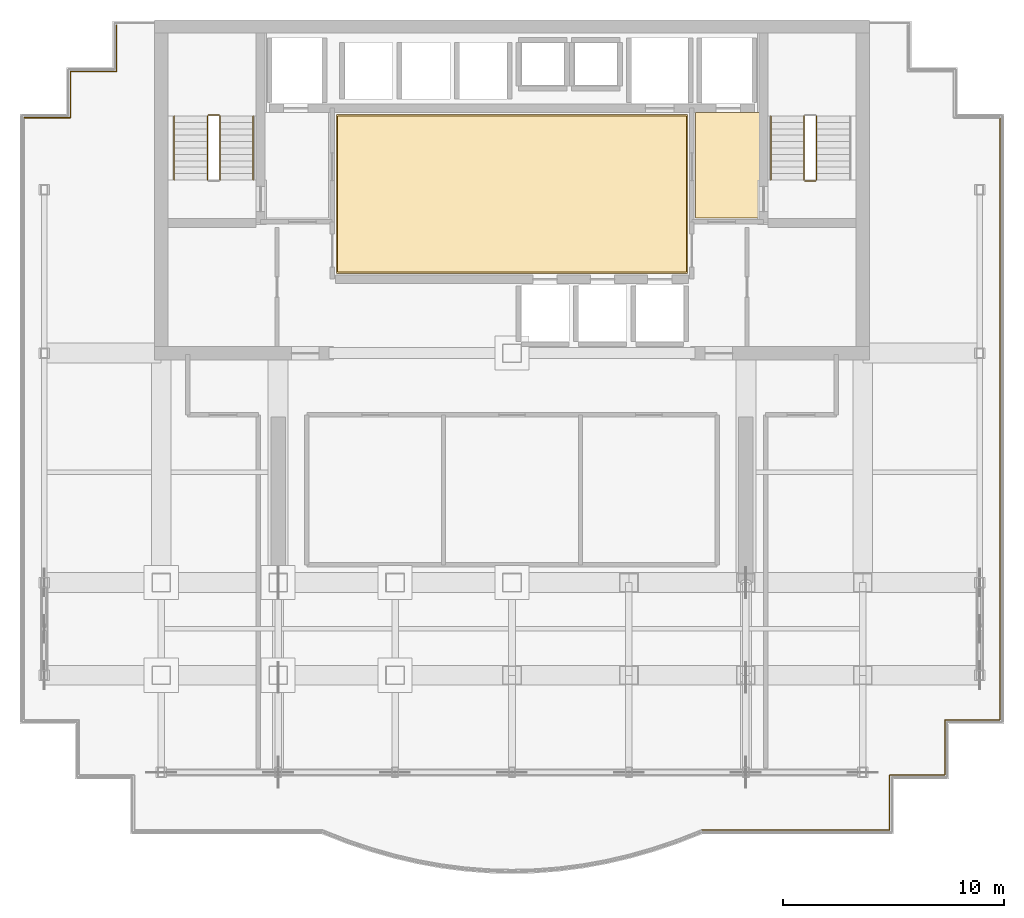
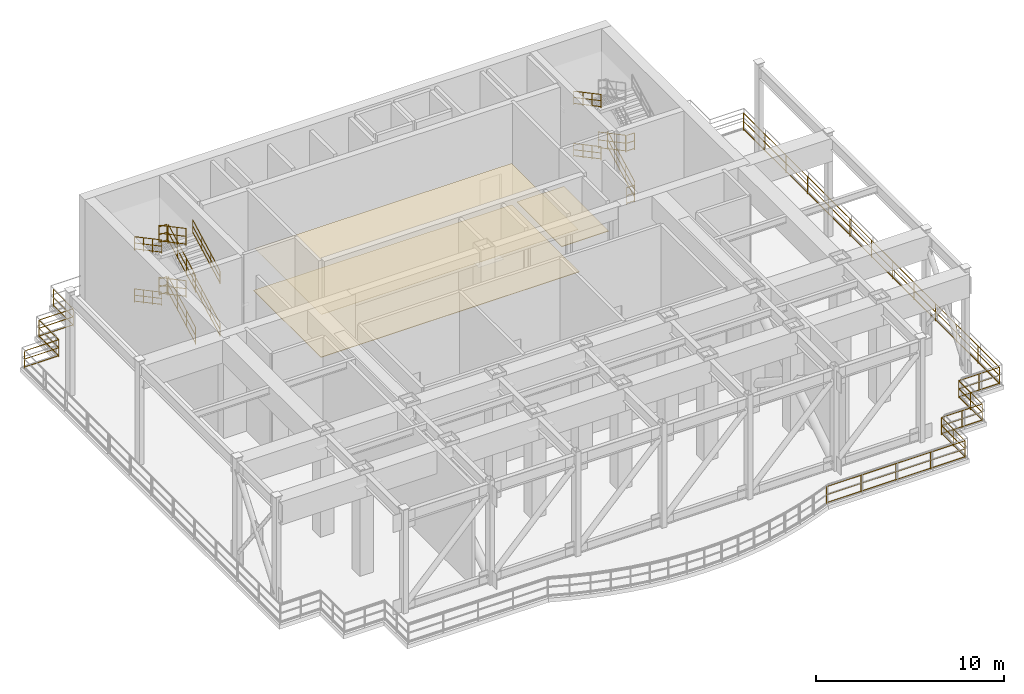
# One storey, part 6 of 7: 26 railings, 3 coverings.
"""IFC4 building model written with IfcOpenShell, lengths in metres."""

from ifc_helpers import new_model, si_unit, direction, frame, origin, origin_2d, place, context, subcontext, project, spatial, polyline, circle, outline, extrude, material, layer, layer_set, type_object, element, save


model = new_model("IFC4")

# Units and contexts
model_context = context("Model", 3, precision=1e-05, world=origin(), true_north=direction((0.0, 1.0)))
body_context = subcontext(model_context, "Body", "Model", "MODEL_VIEW")
ifc_project = project(units=[si_unit("LENGTHUNIT", "METRE"), si_unit("AREAUNIT", "SQUARE_METRE"), si_unit("VOLUMEUNIT", "CUBIC_METRE"), si_unit("PLANEANGLEUNIT", "RADIAN"), si_unit("MASSUNIT", "GRAM", prefix="KILO")], contexts=[model_context])

# Site, building, storey
site_placement = place(None, origin())
site = spatial("IfcSite", under=ifc_project, at=site_placement, CompositionType="ELEMENT")
building_placement = place(site_placement, origin())
building = spatial("IfcBuilding", under=site, at=building_placement, Name="Qianlan Lanfeng Residences", CompositionType="ELEMENT")
storey_placement = place(building_placement, frame((0.0, 0.0, 185.39990234375)))
storey = spatial("IfcBuildingStorey", under=building, at=storey_placement, Name="L51", CompositionType="ELEMENT", Elevation=185.39990234375)

# Coverings
ifc_material_1 = material(Name="Acoustic Perforated Gypsum Ceiling Board")
ifc_layer_1 = layer(ifc_material_1, 0.02001953125)
ifc_layer_set_1 = layer_set([ifc_layer_1], Name="Acoustic Perforated Gypsum Ceiling Board")
covering_type_1 = type_object("IfcCoveringType", Name="CLG-GYP-15", PredefinedType="CEILING", material=ifc_layer_set_1)
covering_1_placement = place(storey_placement, frame((0.0, 0.0, 2.75)))
element("IfcCovering", 1, at=covering_1_placement, inside=storey, type_object=covering_type_1, Name="L51 Lift Lobby Suspended Ceiling", PredefinedType="CEILING", context=body_context, shape_type="SweptSolid", body=[
    extrude(outline(polyline([(18.60009765625, 28.8701171875), (34.39990234375, 28.8701171875), (34.39990234375, 35.9599609375), (18.60009765625, 35.9599609375), (18.60009765625, 28.8701171875)])), origin(), (0.0, 0.0, 1.0), 0.02001953125),
])
ifc_material_2 = material(Name="Honed Taitung Granite Stone Flooring", Category="masonry")
ifc_layer_2 = layer(ifc_material_2, 0.030029296875)
ifc_layer_set_2 = layer_set([ifc_layer_2], Name="Honed Taitung Granite Stone Flooring")
covering_type_2 = type_object("IfcCoveringType", Name="FLR-STN-30", PredefinedType="FLOORING", material=ifc_layer_set_2)
covering_2_placement = place(storey_placement, origin())
element("IfcCovering", 2, at=covering_2_placement, inside=storey, type_object=covering_type_2, Name="L51 Firefighting Lift Lobby Floor Finish", PredefinedType="FLOORING", context=body_context, shape_type="SweptSolid", body=[
    extrude(outline(polyline([(34.820068359375, 31.320068359375), (37.7099609375, 31.320068359375), (37.7099609375, 36.110107421875), (34.820068359375, 36.110107421875), (34.820068359375, 31.320068359375)])), origin(), (0.0, 0.0, 1.0), 0.030029296875),
])
covering_3_placement = place(storey_placement, origin())
element("IfcCovering", 3, at=covering_3_placement, inside=storey, type_object=covering_type_2, Name="L51 Lift Lobby Floor Finish", PredefinedType="FLOORING", context=body_context, shape_type="SweptSolid", body=[
    extrude(outline(polyline([(18.550048828125, 28.820068359375), (34.449951171875, 28.820068359375), (34.449951171875, 36.010009765625), (18.550048828125, 36.010009765625), (18.550048828125, 28.820068359375)])), origin(), (0.0, 0.0, 1.0), 0.030029296875),
])

# Railings
ifc_material_3 = material(Name="Painted Galvanised Steel Guardrail", Category="steel")
railing_type_1 = type_object("IfcRailingType", Name="GR-ST-1120", PredefinedType="GUARDRAIL", material=ifc_material_3)
railing_1_placement = place(storey_placement, frame((13.27001953125, 33.050048828125, 0.154541015625)))
element("IfcRailing", 4, at=railing_1_placement, inside=storey, type_object=railing_type_1, Name="L51 ST-1 stair guard 1", PredefinedType="GUARDRAIL", context=body_context, shape_type="SweptSolid", body=[
    extrude(circle(Radius=0.02392578125, at=origin_2d()), frame((0.0, 0.0, 0.083984375), z_axis=(0.0, 0.882474251534, 0.470360707734), x_axis=(-1.0, 0.0, 0.0)), (0.0, 0.0, 1.0), 3.2861328125),
    extrude(circle(Radius=0.02392578125, at=origin_2d()), frame((0.0, 0.0, 0.58251953125), z_axis=(0.0, 0.882474251534, 0.470360707734), x_axis=(-1.0, 0.0, 0.0)), (0.0, 0.0, 1.0), 3.2861328125),
    extrude(circle(Radius=0.02392578125, at=origin_2d()), frame((0.0, 0.0, 1.09619140625), z_axis=(0.0, 0.882474251534, 0.470360707734), x_axis=(-1.0, 0.0, 0.0)), (0.0, 0.0, 1.0), 3.2861328125),
    extrude(circle(Radius=0.02099609375, at=origin_2d()), origin(), (0.0, 0.0, 1.0), 1.072021484375),
    extrude(circle(Radius=0.02099609375, at=origin_2d()), frame((0.0, 0.966552734375, 0.51513671875)), (0.0, 0.0, 1.0), 1.072021484375),
    extrude(circle(Radius=0.02099609375, at=origin_2d()), frame((0.0, 1.933349609375, 1.030517578125)), (0.0, 0.0, 1.0), 1.072021484375),
    extrude(circle(Radius=0.02099609375, at=origin_2d()), frame((0.0, 2.89990234375, 1.545654296875)), (0.0, 0.0, 1.0), 1.072021484375),
])
railing_2_placement = place(storey_placement, frame((13.219970703125, 36.0, 1.7001953125)))
element("IfcRailing", 5, at=railing_2_placement, inside=storey, type_object=railing_type_1, Name="L51 ST-1 stair guard 2", PredefinedType="GUARDRAIL", context=body_context, shape_type="SweptSolid", body=[
    extrude(circle(Radius=0.02392578125, at=origin_2d()), frame((0.0, 0.0, 0.083984375), z_axis=(-1.0, 0.0, 0.0), x_axis=(0.0, -1.0, 0.0)), (0.0, 0.0, 1.0), 0.47998046875),
    extrude(circle(Radius=0.02392578125, at=origin_2d()), frame((0.0, 0.0, 0.58251953125), z_axis=(-1.0, 0.0, 0.0), x_axis=(0.0, -1.0, 0.0)), (0.0, 0.0, 1.0), 0.47998046875),
    extrude(circle(Radius=0.02392578125, at=origin_2d()), frame((0.0, 0.0, 1.09619140625), z_axis=(-1.0, 0.0, 0.0), x_axis=(0.0, -1.0, 0.0)), (0.0, 0.0, 1.0), 0.47998046875),
    extrude(circle(Radius=0.02099609375, at=origin_2d()), origin(), (0.0, 0.0, 1.0), 1.072021484375),
    extrude(circle(Radius=0.02099609375, at=origin_2d()), frame((-0.47998046875, 0.0, 0.0)), (0.0, 0.0, 1.0), 1.072021484375),
])
railing_3_placement = place(storey_placement, frame((12.68994140625, 35.949951171875, 1.854736328125)))
element("IfcRailing", 6, at=railing_3_placement, inside=storey, type_object=railing_type_1, Name="L51 ST-1 stair guard 3", PredefinedType="GUARDRAIL", context=body_context, shape_type="SweptSolid", body=[
    extrude(circle(Radius=0.02392578125, at=origin_2d()), frame((0.0, 0.0, 0.083984375), z_axis=(0.0, -0.882505089112, 0.470302846782), x_axis=(1.0, 0.0, 0.0)), (0.0, 0.0, 1.0), 3.285888671875),
    extrude(circle(Radius=0.02392578125, at=origin_2d()), frame((0.0, 0.0, 0.58251953125), z_axis=(0.0, -0.882505089112, 0.470302846782), x_axis=(1.0, 0.0, 0.0)), (0.0, 0.0, 1.0), 3.285888671875),
    extrude(circle(Radius=0.02392578125, at=origin_2d()), frame((0.0, 0.0, 1.09619140625), z_axis=(0.0, -0.882505089112, 0.470302846782), x_axis=(1.0, 0.0, 0.0)), (0.0, 0.0, 1.0), 3.285888671875),
    extrude(circle(Radius=0.02099609375, at=origin_2d()), origin(), (0.0, 0.0, 1.0), 1.072021484375),
    extrude(circle(Radius=0.02099609375, at=origin_2d()), frame((0.0, -0.966552734375, 0.51513671875)), (0.0, 0.0, 1.0), 1.072021484375),
    extrude(circle(Radius=0.02099609375, at=origin_2d()), frame((0.0, -1.933349609375, 1.0302734375)), (0.0, 0.0, 1.0), 1.072021484375),
    extrude(circle(Radius=0.02099609375, at=origin_2d()), frame((0.0, -2.89990234375, 1.54541015625)), (0.0, 0.0, 1.0), 1.072021484375),
])
railing_4_placement = place(storey_placement, frame((13.27001953125, 33.050048828125, 3.5546875)))
element("IfcRailing", 7, at=railing_4_placement, inside=storey, type_object=railing_type_1, Name="L51 ST-1 stair guard 5", PredefinedType="GUARDRAIL", context=body_context, shape_type="SweptSolid", body=[
    extrude(circle(Radius=0.02392578125, at=origin_2d()), frame((0.0, 0.0, 0.083984375), z_axis=(0.0, 0.882505089112, 0.470302846782), x_axis=(-1.0, 0.0, 0.0)), (0.0, 0.0, 1.0), 3.285888671875),
    extrude(circle(Radius=0.02392578125, at=origin_2d()), frame((0.0, 0.0, 0.58251953125), z_axis=(0.0, 0.882505089112, 0.470302846782), x_axis=(-1.0, 0.0, 0.0)), (0.0, 0.0, 1.0), 3.285888671875),
    extrude(circle(Radius=0.02392578125, at=origin_2d()), frame((0.0, 0.0, 1.09619140625), z_axis=(0.0, 0.882505089112, 0.470302846782), x_axis=(-1.0, 0.0, 0.0)), (0.0, 0.0, 1.0), 3.285888671875),
    extrude(circle(Radius=0.02099609375, at=origin_2d()), origin(), (0.0, 0.0, 1.0), 1.072021484375),
    extrude(circle(Radius=0.02099609375, at=origin_2d()), frame((0.0, 0.966552734375, 0.51513671875)), (0.0, 0.0, 1.0), 1.072021484375),
    extrude(circle(Radius=0.02099609375, at=origin_2d()), frame((0.0, 1.933349609375, 1.0302734375)), (0.0, 0.0, 1.0), 1.072021484375),
    extrude(circle(Radius=0.02099609375, at=origin_2d()), frame((0.0, 2.89990234375, 1.54541015625)), (0.0, 0.0, 1.0), 1.072021484375),
])
railing_5_placement = place(storey_placement, frame((13.219970703125, 36.0, 5.10009765625)))
element("IfcRailing", 8, at=railing_5_placement, inside=storey, type_object=railing_type_1, Name="L51 ST-1 stair guard 6", PredefinedType="GUARDRAIL", context=body_context, shape_type="SweptSolid", body=[
    extrude(circle(Radius=0.02392578125, at=origin_2d()), frame((0.0, 0.0, 0.083984375), z_axis=(-1.0, 0.0, 0.0), x_axis=(0.0, -1.0, 0.0)), (0.0, 0.0, 1.0), 0.47998046875),
    extrude(circle(Radius=0.02392578125, at=origin_2d()), frame((0.0, 0.0, 0.58251953125), z_axis=(-1.0, 0.0, 0.0), x_axis=(0.0, -1.0, 0.0)), (0.0, 0.0, 1.0), 0.47998046875),
    extrude(circle(Radius=0.02392578125, at=origin_2d()), frame((0.0, 0.0, 1.09619140625), z_axis=(-1.0, 0.0, 0.0), x_axis=(0.0, -1.0, 0.0)), (0.0, 0.0, 1.0), 0.47998046875),
    extrude(circle(Radius=0.02099609375, at=origin_2d()), origin(), (0.0, 0.0, 1.0), 1.072021484375),
    extrude(circle(Radius=0.02099609375, at=origin_2d()), frame((-0.47998046875, 0.0, 0.0)), (0.0, 0.0, 1.0), 1.072021484375),
])
railing_6_placement = place(storey_placement, frame((12.68994140625, 35.949951171875, 5.254638671875)))
element("IfcRailing", 9, at=railing_6_placement, inside=storey, type_object=railing_type_1, Name="L51 ST-1 stair guard 7", PredefinedType="GUARDRAIL", context=body_context, shape_type="SweptSolid", body=[
    extrude(circle(Radius=0.02392578125, at=origin_2d()), frame((0.0, 0.0, 0.083984375), z_axis=(0.0, -0.882505089112, 0.470302846782), x_axis=(1.0, 0.0, 0.0)), (0.0, 0.0, 1.0), 3.285888671875),
    extrude(circle(Radius=0.02392578125, at=origin_2d()), frame((0.0, 0.0, 0.58251953125), z_axis=(0.0, -0.882505089112, 0.470302846782), x_axis=(1.0, 0.0, 0.0)), (0.0, 0.0, 1.0), 3.285888671875),
    extrude(circle(Radius=0.02392578125, at=origin_2d()), frame((0.0, 0.0, 1.09619140625), z_axis=(0.0, -0.882505089112, 0.470302846782), x_axis=(1.0, 0.0, 0.0)), (0.0, 0.0, 1.0), 3.285888671875),
    extrude(circle(Radius=0.02099609375, at=origin_2d()), origin(), (0.0, 0.0, 1.0), 1.072021484375),
    extrude(circle(Radius=0.02099609375, at=origin_2d()), frame((0.0, -0.966552734375, 0.51513671875)), (0.0, 0.0, 1.0), 1.072021484375),
    extrude(circle(Radius=0.02099609375, at=origin_2d()), frame((0.0, -1.933349609375, 1.0302734375)), (0.0, 0.0, 1.0), 1.072021484375),
    extrude(circle(Radius=0.02099609375, at=origin_2d()), frame((0.0, -2.89990234375, 1.54541015625)), (0.0, 0.0, 1.0), 1.072021484375),
])
railing_7_placement = place(storey_placement, frame((40.31005859375, 33.050048828125, 0.154541015625)))
element("IfcRailing", 10, at=railing_7_placement, inside=storey, type_object=railing_type_1, Name="L51 ST-2 stair guard 1", PredefinedType="GUARDRAIL", context=body_context, shape_type="SweptSolid", body=[
    extrude(circle(Radius=0.02392578125, at=origin_2d()), frame((0.0, 0.0, 0.083984375), z_axis=(0.0, 0.882474251534, 0.470360707734), x_axis=(-1.0, 0.0, 0.0)), (0.0, 0.0, 1.0), 3.2861328125),
    extrude(circle(Radius=0.02392578125, at=origin_2d()), frame((0.0, 0.0, 0.58251953125), z_axis=(0.0, 0.882474251534, 0.470360707734), x_axis=(-1.0, 0.0, 0.0)), (0.0, 0.0, 1.0), 3.2861328125),
    extrude(circle(Radius=0.02392578125, at=origin_2d()), frame((0.0, 0.0, 1.09619140625), z_axis=(0.0, 0.882474251534, 0.470360707734), x_axis=(-1.0, 0.0, 0.0)), (0.0, 0.0, 1.0), 3.2861328125),
    extrude(circle(Radius=0.02099609375, at=origin_2d()), origin(), (0.0, 0.0, 1.0), 1.072021484375),
    extrude(circle(Radius=0.02099609375, at=origin_2d()), frame((0.0, 0.966552734375, 0.51513671875)), (0.0, 0.0, 1.0), 1.072021484375),
    extrude(circle(Radius=0.02099609375, at=origin_2d()), frame((0.0, 1.933349609375, 1.030517578125)), (0.0, 0.0, 1.0), 1.072021484375),
    extrude(circle(Radius=0.02099609375, at=origin_2d()), frame((0.0, 2.89990234375, 1.545654296875)), (0.0, 0.0, 1.0), 1.072021484375),
])
railing_8_placement = place(storey_placement, frame((39.72998046875, 35.949951171875, 1.854736328125)))
element("IfcRailing", 11, at=railing_8_placement, inside=storey, type_object=railing_type_1, Name="L51 ST-2 stair guard 3", PredefinedType="GUARDRAIL", context=body_context, shape_type="SweptSolid", body=[
    extrude(circle(Radius=0.02392578125, at=origin_2d()), frame((0.0, 0.0, 0.083984375), z_axis=(0.0, -0.882505089112, 0.470302846782), x_axis=(1.0, 0.0, 0.0)), (0.0, 0.0, 1.0), 3.285888671875),
    extrude(circle(Radius=0.02392578125, at=origin_2d()), frame((0.0, 0.0, 0.58251953125), z_axis=(0.0, -0.882505089112, 0.470302846782), x_axis=(1.0, 0.0, 0.0)), (0.0, 0.0, 1.0), 3.285888671875),
    extrude(circle(Radius=0.02392578125, at=origin_2d()), frame((0.0, 0.0, 1.09619140625), z_axis=(0.0, -0.882505089112, 0.470302846782), x_axis=(1.0, 0.0, 0.0)), (0.0, 0.0, 1.0), 3.285888671875),
    extrude(circle(Radius=0.02099609375, at=origin_2d()), origin(), (0.0, 0.0, 1.0), 1.072021484375),
    extrude(circle(Radius=0.02099609375, at=origin_2d()), frame((0.0, -0.966552734375, 0.51513671875)), (0.0, 0.0, 1.0), 1.072021484375),
    extrude(circle(Radius=0.02099609375, at=origin_2d()), frame((0.0, -1.933349609375, 1.0302734375)), (0.0, 0.0, 1.0), 1.072021484375),
    extrude(circle(Radius=0.02099609375, at=origin_2d()), frame((0.0, -2.89990234375, 1.54541015625)), (0.0, 0.0, 1.0), 1.072021484375),
])
for number, where, name in (
    (12, (40.260009765625, 33.0, 3.400146484375), "L51 ST-2 stair guard 4"),
    (13, (40.260009765625, 33.0, 0.0), "L51 ST-2 stair guard 8"),
):
    element("IfcRailing", number, at=place(storey_placement, frame(where)), inside=storey, type_object=railing_type_1, Name=name, PredefinedType="GUARDRAIL", context=body_context, shape_type="SweptSolid", body=[
        extrude(circle(Radius=0.02392578125, at=origin_2d()), frame((0.0, 0.0, 0.083984375), z_axis=(-1.0, 0.0, 0.0), x_axis=(0.0, -1.0, 0.0)), (0.0, 0.0, 1.0), 0.47998046875),
        extrude(circle(Radius=0.02392578125, at=origin_2d()), frame((0.0, 0.0, 0.58251953125), z_axis=(-1.0, 0.0, 0.0), x_axis=(0.0, -1.0, 0.0)), (0.0, 0.0, 1.0), 0.47998046875),
        extrude(circle(Radius=0.02392578125, at=origin_2d()), frame((0.0, 0.0, 1.09619140625), z_axis=(-1.0, 0.0, 0.0), x_axis=(0.0, -1.0, 0.0)), (0.0, 0.0, 1.0), 0.47998046875),
        extrude(circle(Radius=0.02099609375, at=origin_2d()), origin(), (0.0, 0.0, 1.0), 1.072021484375),
        extrude(circle(Radius=0.02099609375, at=origin_2d()), frame((-0.47998046875, 0.0, 0.0)), (0.0, 0.0, 1.0), 1.072021484375),
    ])
railing_9_placement = place(storey_placement, frame((4.3798828125, 35.8701171875, 0.0)))
element("IfcRailing", 14, at=railing_9_placement, inside=storey, type_object=railing_type_1, Name="L51 Wind-Slot Open Perimeter Guardrail 2", PredefinedType="GUARDRAIL", context=body_context, shape_type="SweptSolid", body=[
    extrude(circle(Radius=0.02392578125, at=origin_2d()), frame((0.0, 0.0, 0.083984375), z_axis=(1.0, 0.0, 0.0), x_axis=(0.0, 1.0, 0.0)), (0.0, 0.0, 1.0), 2.10009765625),
    extrude(circle(Radius=0.02392578125, at=origin_2d()), frame((0.0, 0.0, 0.597900390625), z_axis=(1.0, 0.0, 0.0), x_axis=(0.0, 1.0, 0.0)), (0.0, 0.0, 1.0), 2.10009765625),
    extrude(circle(Radius=0.02392578125, at=origin_2d()), frame((0.0, 0.0, 1.1259765625), z_axis=(1.0, 0.0, 0.0), x_axis=(0.0, 1.0, 0.0)), (0.0, 0.0, 1.0), 2.10009765625),
    extrude(circle(Radius=0.02099609375, at=origin_2d()), origin(), (0.0, 0.0, 1.0), 1.101806640625),
    extrude(circle(Radius=0.02099609375, at=origin_2d()), frame((2.10009765625, 0.0, 0.0)), (0.0, 0.0, 1.0), 1.101806640625),
])
railing_10_placement = place(storey_placement, frame((6.47998046875, 35.8701171875, 0.0)))
element("IfcRailing", 15, at=railing_10_placement, inside=storey, type_object=railing_type_1, Name="L51 Wind-Slot Open Perimeter Guardrail 3", PredefinedType="GUARDRAIL", context=body_context, shape_type="SweptSolid", body=[
    extrude(circle(Radius=0.02392578125, at=origin_2d()), frame((0.0, 0.0, 0.083984375), z_axis=(0.0, 1.0, 0.0), x_axis=(-1.0, 0.0, 0.0)), (0.0, 0.0, 1.0), 2.099853515625),
    extrude(circle(Radius=0.02392578125, at=origin_2d()), frame((0.0, 0.0, 0.597900390625), z_axis=(0.0, 1.0, 0.0), x_axis=(-1.0, 0.0, 0.0)), (0.0, 0.0, 1.0), 2.099853515625),
    extrude(circle(Radius=0.02392578125, at=origin_2d()), frame((0.0, 0.0, 1.1259765625), z_axis=(0.0, 1.0, 0.0), x_axis=(-1.0, 0.0, 0.0)), (0.0, 0.0, 1.0), 2.099853515625),
    extrude(circle(Radius=0.02099609375, at=origin_2d()), origin(), (0.0, 0.0, 1.0), 1.101806640625),
    extrude(circle(Radius=0.02099609375, at=origin_2d()), frame((0.0, 2.099853515625, 0.0)), (0.0, 0.0, 1.0), 1.101806640625),
])
railing_11_placement = place(storey_placement, frame((6.47998046875, 37.969970703125, 0.0)))
element("IfcRailing", 16, at=railing_11_placement, inside=storey, type_object=railing_type_1, Name="L51 Wind-Slot Open Perimeter Guardrail 4", PredefinedType="GUARDRAIL", context=body_context, shape_type="SweptSolid", body=[
    extrude(circle(Radius=0.02392578125, at=origin_2d()), frame((0.0, 0.0, 0.083984375), z_axis=(1.0, 0.0, 0.0), x_axis=(0.0, 1.0, 0.0)), (0.0, 0.0, 1.0), 2.10009765625),
    extrude(circle(Radius=0.02392578125, at=origin_2d()), frame((0.0, 0.0, 0.597900390625), z_axis=(1.0, 0.0, 0.0), x_axis=(0.0, 1.0, 0.0)), (0.0, 0.0, 1.0), 2.10009765625),
    extrude(circle(Radius=0.02392578125, at=origin_2d()), frame((0.0, 0.0, 1.1259765625), z_axis=(1.0, 0.0, 0.0), x_axis=(0.0, 1.0, 0.0)), (0.0, 0.0, 1.0), 2.10009765625),
    extrude(circle(Radius=0.02099609375, at=origin_2d()), origin(), (0.0, 0.0, 1.0), 1.101806640625),
    extrude(circle(Radius=0.02099609375, at=origin_2d()), frame((2.10009765625, 0.0, 0.0)), (0.0, 0.0, 1.0), 1.101806640625),
])
railing_12_placement = place(storey_placement, frame((8.580078125, 37.969970703125, 0.0)))
element("IfcRailing", 17, at=railing_12_placement, inside=storey, type_object=railing_type_1, Name="L51 Wind-Slot Open Perimeter Guardrail 5", PredefinedType="GUARDRAIL", context=body_context, shape_type="SweptSolid", body=[
    extrude(circle(Radius=0.02392578125, at=origin_2d()), frame((0.0, 0.0, 0.083984375), z_axis=(0.0, 1.0, 0.0), x_axis=(-1.0, 0.0, 0.0)), (0.0, 0.0, 1.0), 2.10009765625),
    extrude(circle(Radius=0.02392578125, at=origin_2d()), frame((0.0, 0.0, 0.597900390625), z_axis=(0.0, 1.0, 0.0), x_axis=(-1.0, 0.0, 0.0)), (0.0, 0.0, 1.0), 2.10009765625),
    extrude(circle(Radius=0.02392578125, at=origin_2d()), frame((0.0, 0.0, 1.1259765625), z_axis=(0.0, 1.0, 0.0), x_axis=(-1.0, 0.0, 0.0)), (0.0, 0.0, 1.0), 2.10009765625),
    extrude(circle(Radius=0.02099609375, at=origin_2d()), origin(), (0.0, 0.0, 1.0), 1.101806640625),
    extrude(circle(Radius=0.02099609375, at=origin_2d()), frame((0.0, 2.10009765625, 0.0)), (0.0, 0.0, 1.0), 1.101806640625),
])
railing_13_placement = place(storey_placement, frame((48.6201171875, 35.8701171875, 0.0)))
element("IfcRailing", 18, at=railing_13_placement, inside=storey, type_object=railing_type_1, Name="L51 Wind-Slot Open Perimeter Guardrail 10", PredefinedType="GUARDRAIL", context=body_context, shape_type="SweptSolid", body=[
    extrude(circle(Radius=0.02392578125, at=origin_2d()), frame((0.0, 0.0, 0.083984375), z_axis=(0.0, -1.0, 0.0), x_axis=(1.0, 0.0, 0.0)), (0.0, 0.0, 1.0), 27.2900390625),
    extrude(circle(Radius=0.02392578125, at=origin_2d()), frame((0.0, 0.0, 0.597900390625), z_axis=(0.0, -1.0, 0.0), x_axis=(1.0, 0.0, 0.0)), (0.0, 0.0, 1.0), 27.2900390625),
    extrude(circle(Radius=0.02392578125, at=origin_2d()), frame((0.0, 0.0, 1.1259765625), z_axis=(0.0, -1.0, 0.0), x_axis=(1.0, 0.0, 0.0)), (0.0, 0.0, 1.0), 27.2900390625),
    extrude(circle(Radius=0.02099609375, at=origin_2d()), origin(), (0.0, 0.0, 1.0), 1.101806640625),
    extrude(circle(Radius=0.02099609375, at=origin_2d()), frame((0.0, -2.274169921875, 0.0)), (0.0, 0.0, 1.0), 1.101806640625),
    extrude(circle(Radius=0.02099609375, at=origin_2d()), frame((0.0, -4.54833984375, 0.0)), (0.0, 0.0, 1.0), 1.101806640625),
    extrude(circle(Radius=0.02099609375, at=origin_2d()), frame((0.0, -6.822509765625, 0.0)), (0.0, 0.0, 1.0), 1.101806640625),
    extrude(circle(Radius=0.02099609375, at=origin_2d()), frame((0.0, -9.0966796875, 0.0)), (0.0, 0.0, 1.0), 1.101806640625),
    extrude(circle(Radius=0.02099609375, at=origin_2d()), frame((0.0, -11.370849609375, 0.0)), (0.0, 0.0, 1.0), 1.101806640625),
    extrude(circle(Radius=0.02099609375, at=origin_2d()), frame((0.0, -13.64501953125, 0.0)), (0.0, 0.0, 1.0), 1.101806640625),
    extrude(circle(Radius=0.02099609375, at=origin_2d()), frame((0.0, -15.919189453125, 0.0)), (0.0, 0.0, 1.0), 1.101806640625),
    extrude(circle(Radius=0.02099609375, at=origin_2d()), frame((0.0, -18.193359375, 0.0)), (0.0, 0.0, 1.0), 1.101806640625),
    extrude(circle(Radius=0.02099609375, at=origin_2d()), frame((0.0, -20.467529296875, 0.0)), (0.0, 0.0, 1.0), 1.101806640625),
    extrude(circle(Radius=0.02099609375, at=origin_2d()), frame((0.0, -22.74169921875, 0.0)), (0.0, 0.0, 1.0), 1.101806640625),
    extrude(circle(Radius=0.02099609375, at=origin_2d()), frame((0.0, -25.015869140625, 0.0)), (0.0, 0.0, 1.0), 1.101806640625),
    extrude(circle(Radius=0.02099609375, at=origin_2d()), frame((0.0, -27.2900390625, 0.0)), (0.0, 0.0, 1.0), 1.101806640625),
])
railing_14_placement = place(storey_placement, frame((48.6201171875, 8.580078125, 0.0)))
element("IfcRailing", 19, at=railing_14_placement, inside=storey, type_object=railing_type_1, Name="L51 Wind-Slot Open Perimeter Guardrail 11", PredefinedType="GUARDRAIL", context=body_context, shape_type="SweptSolid", body=[
    extrude(circle(Radius=0.02392578125, at=origin_2d()), frame((0.0, 0.0, 0.083984375), z_axis=(-1.0, 0.0, 0.0), x_axis=(0.0, -1.0, 0.0)), (0.0, 0.0, 1.0), 2.5),
    extrude(circle(Radius=0.02392578125, at=origin_2d()), frame((0.0, 0.0, 0.597900390625), z_axis=(-1.0, 0.0, 0.0), x_axis=(0.0, -1.0, 0.0)), (0.0, 0.0, 1.0), 2.5),
    extrude(circle(Radius=0.02392578125, at=origin_2d()), frame((0.0, 0.0, 1.1259765625), z_axis=(-1.0, 0.0, 0.0), x_axis=(0.0, -1.0, 0.0)), (0.0, 0.0, 1.0), 2.5),
    extrude(circle(Radius=0.02099609375, at=origin_2d()), origin(), (0.0, 0.0, 1.0), 1.101806640625),
    extrude(circle(Radius=0.02099609375, at=origin_2d()), frame((-1.25, 0.0, 0.0)), (0.0, 0.0, 1.0), 1.101806640625),
    extrude(circle(Radius=0.02099609375, at=origin_2d()), frame((-2.5, 0.0, 0.0)), (0.0, 0.0, 1.0), 1.101806640625),
])
railing_15_placement = place(storey_placement, frame((46.1201171875, 8.580078125, 0.0)))
element("IfcRailing", 20, at=railing_15_placement, inside=storey, type_object=railing_type_1, Name="L51 Wind-Slot Open Perimeter Guardrail 12", PredefinedType="GUARDRAIL", context=body_context, shape_type="SweptSolid", body=[
    extrude(circle(Radius=0.02392578125, at=origin_2d()), frame((0.0, 0.0, 0.083984375), z_axis=(0.0, -1.0, 0.0), x_axis=(1.0, 0.0, 0.0)), (0.0, 0.0, 1.0), 2.5),
    extrude(circle(Radius=0.02392578125, at=origin_2d()), frame((0.0, 0.0, 0.597900390625), z_axis=(0.0, -1.0, 0.0), x_axis=(1.0, 0.0, 0.0)), (0.0, 0.0, 1.0), 2.5),
    extrude(circle(Radius=0.02392578125, at=origin_2d()), frame((0.0, 0.0, 1.1259765625), z_axis=(0.0, -1.0, 0.0), x_axis=(1.0, 0.0, 0.0)), (0.0, 0.0, 1.0), 2.5),
    extrude(circle(Radius=0.02099609375, at=origin_2d()), origin(), (0.0, 0.0, 1.0), 1.101806640625),
    extrude(circle(Radius=0.02099609375, at=origin_2d()), frame((0.0, -1.25, 0.0)), (0.0, 0.0, 1.0), 1.101806640625),
    extrude(circle(Radius=0.02099609375, at=origin_2d()), frame((0.0, -2.5, 0.0)), (0.0, 0.0, 1.0), 1.101806640625),
])
railing_16_placement = place(storey_placement, frame((46.1201171875, 6.080078125, 0.0)))
element("IfcRailing", 21, at=railing_16_placement, inside=storey, type_object=railing_type_1, Name="L51 Wind-Slot Open Perimeter Guardrail 13", PredefinedType="GUARDRAIL", context=body_context, shape_type="SweptSolid", body=[
    extrude(circle(Radius=0.02392578125, at=origin_2d()), frame((0.0, 0.0, 0.083984375), z_axis=(-1.0, 0.0, 0.0), x_axis=(0.0, -1.0, 0.0)), (0.0, 0.0, 1.0), 2.5),
    extrude(circle(Radius=0.02392578125, at=origin_2d()), frame((0.0, 0.0, 0.597900390625), z_axis=(-1.0, 0.0, 0.0), x_axis=(0.0, -1.0, 0.0)), (0.0, 0.0, 1.0), 2.5),
    extrude(circle(Radius=0.02392578125, at=origin_2d()), frame((0.0, 0.0, 1.1259765625), z_axis=(-1.0, 0.0, 0.0), x_axis=(0.0, -1.0, 0.0)), (0.0, 0.0, 1.0), 2.5),
    extrude(circle(Radius=0.02099609375, at=origin_2d()), origin(), (0.0, 0.0, 1.0), 1.101806640625),
    extrude(circle(Radius=0.02099609375, at=origin_2d()), frame((-1.25, 0.0, 0.0)), (0.0, 0.0, 1.0), 1.101806640625),
    extrude(circle(Radius=0.02099609375, at=origin_2d()), frame((-2.5, 0.0, 0.0)), (0.0, 0.0, 1.0), 1.101806640625),
])
railing_17_placement = place(storey_placement, frame((43.6201171875, 6.080078125, 0.0)))
element("IfcRailing", 22, at=railing_17_placement, inside=storey, type_object=railing_type_1, Name="L51 Wind-Slot Open Perimeter Guardrail 14", PredefinedType="GUARDRAIL", context=body_context, shape_type="SweptSolid", body=[
    extrude(circle(Radius=0.02392578125, at=origin_2d()), frame((0.0, 0.0, 0.083984375), z_axis=(0.0, -1.0, 0.0), x_axis=(1.0, 0.0, 0.0)), (0.0, 0.0, 1.0), 2.5),
    extrude(circle(Radius=0.02392578125, at=origin_2d()), frame((0.0, 0.0, 0.597900390625), z_axis=(0.0, -1.0, 0.0), x_axis=(1.0, 0.0, 0.0)), (0.0, 0.0, 1.0), 2.5),
    extrude(circle(Radius=0.02392578125, at=origin_2d()), frame((0.0, 0.0, 1.1259765625), z_axis=(0.0, -1.0, 0.0), x_axis=(1.0, 0.0, 0.0)), (0.0, 0.0, 1.0), 2.5),
    extrude(circle(Radius=0.02099609375, at=origin_2d()), origin(), (0.0, 0.0, 1.0), 1.101806640625),
    extrude(circle(Radius=0.02099609375, at=origin_2d()), frame((0.0, -1.25, 0.0)), (0.0, 0.0, 1.0), 1.101806640625),
    extrude(circle(Radius=0.02099609375, at=origin_2d()), frame((0.0, -2.5, 0.0)), (0.0, 0.0, 1.0), 1.101806640625),
])
railing_18_placement = place(storey_placement, frame((43.6201171875, 3.580078125, 0.0)))
element("IfcRailing", 23, at=railing_18_placement, inside=storey, type_object=railing_type_1, Name="L51 Wind-Slot Open Perimeter Guardrail 15", PredefinedType="GUARDRAIL", context=body_context, shape_type="SweptSolid", body=[
    extrude(circle(Radius=0.02392578125, at=origin_2d()), frame((0.0, 0.0, 0.083984375), z_axis=(-1.0, 0.0, 0.0), x_axis=(0.0, -1.0, 0.0)), (0.0, 0.0, 1.0), 8.5341796875),
    extrude(circle(Radius=0.02392578125, at=origin_2d()), frame((0.0, 0.0, 0.597900390625), z_axis=(-1.0, 0.0, 0.0), x_axis=(0.0, -1.0, 0.0)), (0.0, 0.0, 1.0), 8.5341796875),
    extrude(circle(Radius=0.02392578125, at=origin_2d()), frame((0.0, 0.0, 1.1259765625), z_axis=(-1.0, 0.0, 0.0), x_axis=(0.0, -1.0, 0.0)), (0.0, 0.0, 1.0), 8.5341796875),
    extrude(circle(Radius=0.02099609375, at=origin_2d()), origin(), (0.0, 0.0, 1.0), 1.101806640625),
    extrude(circle(Radius=0.02099609375, at=origin_2d()), frame((-2.133544921875, 0.0, 0.0)), (0.0, 0.0, 1.0), 1.101806640625),
    extrude(circle(Radius=0.02099609375, at=origin_2d()), frame((-4.26708984375, 0.0, 0.0)), (0.0, 0.0, 1.0), 1.101806640625),
    extrude(circle(Radius=0.02099609375, at=origin_2d()), frame((-6.400634765625, 0.0, 0.0)), (0.0, 0.0, 1.0), 1.101806640625),
    extrude(circle(Radius=0.02099609375, at=origin_2d()), frame((-8.5341796875, 0.0, 0.0)), (0.0, 0.0, 1.0), 1.101806640625),
])
ifc_material_4 = material(Name="Brushed Stainless Steel Handrail", Category="steel")
railing_type_2 = type_object("IfcRailingType", Name="HR-ST-920", PredefinedType="HANDRAIL", material=ifc_material_4)
railing_19_placement = place(storey_placement, frame((14.77001953125, 33.050048828125, 0.154541015625)))
element("IfcRailing", 24, at=railing_19_placement, inside=storey, type_object=railing_type_2, Name="L51 ST-1 stair handrail 1", PredefinedType="HANDRAIL", context=body_context, shape_type="SweptSolid", body=[
    extrude(circle(Radius=0.02392578125, at=origin_2d()), frame((0.0, 0.0, 0.083984375), z_axis=(0.0, 0.882474251534, 0.470360707734), x_axis=(-1.0, 0.0, 0.0)), (0.0, 0.0, 1.0), 3.2861328125),
    extrude(circle(Radius=0.02392578125, at=origin_2d()), frame((0.0, 0.0, 0.468017578125), z_axis=(0.0, 0.882474251534, 0.470360707734), x_axis=(-1.0, 0.0, 0.0)), (0.0, 0.0, 1.0), 3.2861328125),
    extrude(circle(Radius=0.02392578125, at=origin_2d()), frame((0.0, 0.0, 0.8759765625), z_axis=(0.0, 0.882474251534, 0.470360707734), x_axis=(-1.0, 0.0, 0.0)), (0.0, 0.0, 1.0), 3.2861328125),
    extrude(circle(Radius=0.02099609375, at=origin_2d()), origin(), (0.0, 0.0, 1.0), 0.851806640625),
    extrude(circle(Radius=0.02099609375, at=origin_2d()), frame((0.0, 0.966552734375, 0.51513671875)), (0.0, 0.0, 1.0), 0.851806640625),
    extrude(circle(Radius=0.02099609375, at=origin_2d()), frame((0.0, 1.933349609375, 1.030517578125)), (0.0, 0.0, 1.0), 0.851806640625),
    extrude(circle(Radius=0.02099609375, at=origin_2d()), frame((0.0, 2.89990234375, 1.545654296875)), (0.0, 0.0, 1.0), 0.851806640625),
])
railing_20_placement = place(storey_placement, frame((11.18994140625, 35.949951171875, 1.854736328125)))
element("IfcRailing", 25, at=railing_20_placement, inside=storey, type_object=railing_type_2, Name="L51 ST-1 stair handrail 2", PredefinedType="HANDRAIL", context=body_context, shape_type="SweptSolid", body=[
    extrude(circle(Radius=0.02392578125, at=origin_2d()), frame((0.0, 0.0, 0.083984375), z_axis=(0.0, -0.882505089112, 0.470302846782), x_axis=(1.0, 0.0, 0.0)), (0.0, 0.0, 1.0), 3.285888671875),
    extrude(circle(Radius=0.02392578125, at=origin_2d()), frame((0.0, 0.0, 0.468017578125), z_axis=(0.0, -0.882505089112, 0.470302846782), x_axis=(1.0, 0.0, 0.0)), (0.0, 0.0, 1.0), 3.285888671875),
    extrude(circle(Radius=0.02392578125, at=origin_2d()), frame((0.0, 0.0, 0.8759765625), z_axis=(0.0, -0.882505089112, 0.470302846782), x_axis=(1.0, 0.0, 0.0)), (0.0, 0.0, 1.0), 3.285888671875),
    extrude(circle(Radius=0.02099609375, at=origin_2d()), origin(), (0.0, 0.0, 1.0), 0.851806640625),
    extrude(circle(Radius=0.02099609375, at=origin_2d()), frame((0.0, -0.966552734375, 0.51513671875)), (0.0, 0.0, 1.0), 0.851806640625),
    extrude(circle(Radius=0.02099609375, at=origin_2d()), frame((0.0, -1.933349609375, 1.0302734375)), (0.0, 0.0, 1.0), 0.851806640625),
    extrude(circle(Radius=0.02099609375, at=origin_2d()), frame((0.0, -2.89990234375, 1.54541015625)), (0.0, 0.0, 1.0), 0.851806640625),
])
railing_21_placement = place(storey_placement, frame((14.77001953125, 33.050048828125, 3.5546875)))
element("IfcRailing", 26, at=railing_21_placement, inside=storey, type_object=railing_type_2, Name="L51 ST-1 stair handrail 3", PredefinedType="HANDRAIL", context=body_context, shape_type="SweptSolid", body=[
    extrude(circle(Radius=0.02392578125, at=origin_2d()), frame((0.0, 0.0, 0.083984375), z_axis=(0.0, 0.882505089112, 0.470302846782), x_axis=(-1.0, 0.0, 0.0)), (0.0, 0.0, 1.0), 3.285888671875),
    extrude(circle(Radius=0.02392578125, at=origin_2d()), frame((0.0, 0.0, 0.468017578125), z_axis=(0.0, 0.882505089112, 0.470302846782), x_axis=(-1.0, 0.0, 0.0)), (0.0, 0.0, 1.0), 3.285888671875),
    extrude(circle(Radius=0.02392578125, at=origin_2d()), frame((0.0, 0.0, 0.8759765625), z_axis=(0.0, 0.882505089112, 0.470302846782), x_axis=(-1.0, 0.0, 0.0)), (0.0, 0.0, 1.0), 3.285888671875),
    extrude(circle(Radius=0.02099609375, at=origin_2d()), origin(), (0.0, 0.0, 1.0), 0.851806640625),
    extrude(circle(Radius=0.02099609375, at=origin_2d()), frame((0.0, 0.966552734375, 0.51513671875)), (0.0, 0.0, 1.0), 0.851806640625),
    extrude(circle(Radius=0.02099609375, at=origin_2d()), frame((0.0, 1.933349609375, 1.0302734375)), (0.0, 0.0, 1.0), 0.851806640625),
    extrude(circle(Radius=0.02099609375, at=origin_2d()), frame((0.0, 2.89990234375, 1.54541015625)), (0.0, 0.0, 1.0), 0.851806640625),
])
for number, where, name in (
    (27, (11.18994140625, 35.949951171875, 5.254638671875), "L51 ST-1 stair handrail 4"),
    (28, (38.22998046875, 35.949951171875, 1.854736328125), "L51 ST-2 stair handrail 2"),
    (29, (38.22998046875, 35.949951171875, 5.254638671875), "L51 ST-2 stair handrail 4"),
):
    element("IfcRailing", number, at=place(storey_placement, frame(where)), inside=storey, type_object=railing_type_2, Name=name, PredefinedType="HANDRAIL", context=body_context, shape_type="SweptSolid", body=[
        extrude(circle(Radius=0.02392578125, at=origin_2d()), frame((0.0, 0.0, 0.083984375), z_axis=(0.0, -0.882505089112, 0.470302846782), x_axis=(1.0, 0.0, 0.0)), (0.0, 0.0, 1.0), 3.285888671875),
        extrude(circle(Radius=0.02392578125, at=origin_2d()), frame((0.0, 0.0, 0.468017578125), z_axis=(0.0, -0.882505089112, 0.470302846782), x_axis=(1.0, 0.0, 0.0)), (0.0, 0.0, 1.0), 3.285888671875),
        extrude(circle(Radius=0.02392578125, at=origin_2d()), frame((0.0, 0.0, 0.8759765625), z_axis=(0.0, -0.882505089112, 0.470302846782), x_axis=(1.0, 0.0, 0.0)), (0.0, 0.0, 1.0), 3.285888671875),
        extrude(circle(Radius=0.02099609375, at=origin_2d()), origin(), (0.0, 0.0, 1.0), 0.851806640625),
        extrude(circle(Radius=0.02099609375, at=origin_2d()), frame((0.0, -0.966552734375, 0.51513671875)), (0.0, 0.0, 1.0), 0.851806640625),
        extrude(circle(Radius=0.02099609375, at=origin_2d()), frame((0.0, -1.933349609375, 1.0302734375)), (0.0, 0.0, 1.0), 0.851806640625),
        extrude(circle(Radius=0.02099609375, at=origin_2d()), frame((0.0, -2.89990234375, 1.54541015625)), (0.0, 0.0, 1.0), 0.851806640625),
    ])

save(model, "model.ifc")
